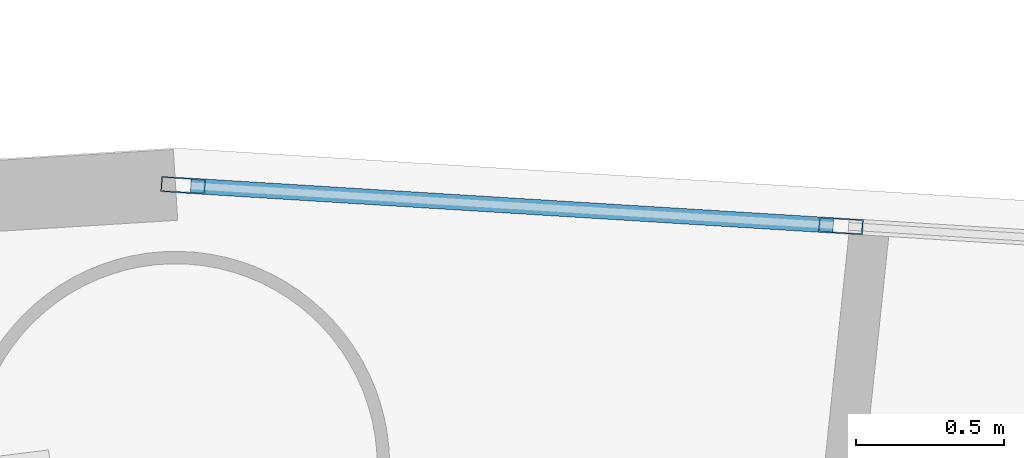
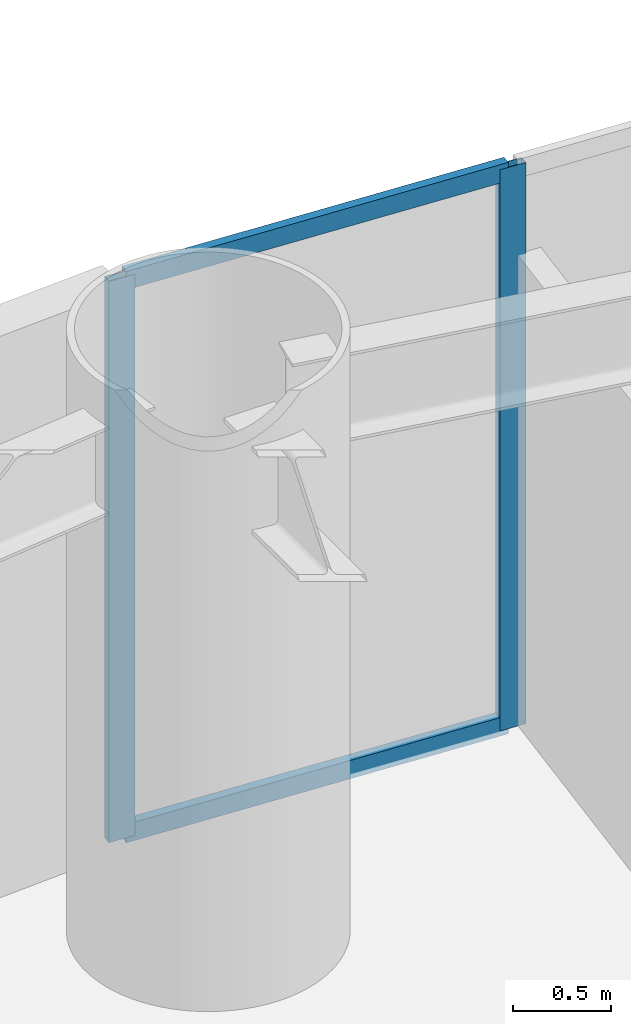
# One storey, part 4 of 19: 4 members, 1 element without a shape of its own.
"""IFC4 building model written with IfcOpenShell, lengths in metres."""

from ifc_helpers import new_model, si_unit, direction, frame, origin, origin_2d, place, context, subcontext, project, spatial, hollow_rectangle, extrude, source, transform, mapped, material, layer, layer_set, material_profile, profile_set, type_object, element, aggregate, save


model = new_model("IFC4")

# Units and contexts
model_context = context("Model", 3, precision=1e-05, world=origin(), true_north=direction((0.0, 1.0)))
body_context = subcontext(model_context, "Body", "Model", "MODEL_VIEW")
ifc_project = project(units=[si_unit("LENGTHUNIT", "METRE"), si_unit("AREAUNIT", "SQUARE_METRE"), si_unit("VOLUMEUNIT", "CUBIC_METRE"), si_unit("PLANEANGLEUNIT", "RADIAN"), si_unit("MASSUNIT", "GRAM", prefix="KILO")], contexts=[model_context])

# Site, building, storey
site_placement = place(None, origin())
site = spatial("IfcSite", under=ifc_project, at=site_placement, CompositionType="ELEMENT")
building_placement = place(site_placement, origin())
building = spatial("IfcBuilding", under=site, at=building_placement, Name="Linh Dai School and Residence Tower", CompositionType="ELEMENT")
storey_placement = place(building_placement, frame((0.0, 0.0, 119.699951171875)))
storey = spatial("IfcBuildingStorey", under=building, at=storey_placement, Name="L28", CompositionType="ELEMENT", Elevation=119.699951171875)

# Curtain wall, members
ifc_material_1 = material(Name="Aluminium Anodised Curtain Wall", Category="aluminium")
ifc_layer = layer(ifc_material_1, 0.14990234375)
ifc_layer_set = layer_set([ifc_layer], Name="Aluminium Anodised Curtain Wall")
curtain_wall_type = type_object("IfcCurtainWallType", Name="CW-SYS-4", PredefinedType="USERDEFINED", material=ifc_layer_set)
curtain_wall_placement = place(storey_placement, origin())
curtain_wall = element("IfcCurtainWall", 1, at=curtain_wall_placement, inside=storey, type_object=curtain_wall_type, Name="L28 CW4 Curtain Wall 10", ObjectType="RIBBON CURTAIN WALL", PredefinedType="USERDEFINED")
ifc_material_2 = material(Name="Aluminium Alloy 6063-T6", Category="aluminium")
ifc_material_profile_1 = material_profile(ifc_material_2, hollow_rectangle(XDim=0.052001953125, YDim=0.14990234375, WallThickness=0.00390625, at=origin_2d()), Name="RHS 150x52x4")
ifc_profile_set_1 = profile_set([ifc_material_profile_1], Name="Aluminium Alloy 6063-T6")
member_type_1 = type_object("IfcMemberType", Name="CW-SYS-4-MUL", PredefinedType="MULLION", material=ifc_profile_set_1)
shared_shape_1 = source(origin(), body_context, "Body", "SweptSolid", [
    extrude(hollow_rectangle(XDim=0.052001953125, YDim=0.14990234375, WallThickness=0.00390625, at=origin_2d()), origin(), (0.0, 0.0, 1.0), 3.5),
])
member_1_placement = place(storey_placement, frame((36.02587890625, 49.50341796875, 0.0), z_axis=(0.0, 0.0, 1.0), x_axis=(0.061509255091, 0.998106513123, 0.0)))
member_1 = element("IfcMember", 2, at=member_1_placement, type_object=member_type_1, Name="CW4 mullion 1", PredefinedType="MULLION", context=body_context, shape_type="MappedRepresentation", body=[
    mapped(shared_shape_1, transform((0.0, 0.0, 0.0), x_axis=(1.0, 0.0, 0.0), y_axis=(0.0, 1.0, 0.0), z_axis=(0.0, 0.0, 1.0), scale=1.0)),
])
member_2_placement = place(storey_placement, frame((38.252685546875, 49.3662109375, 0.0), z_axis=(0.0, 0.0, 1.0), x_axis=(0.061509255091, 0.998106513123, 0.0)))
member_2 = element("IfcMember", 3, at=member_2_placement, type_object=member_type_1, Name="CW4 mullion 2", PredefinedType="MULLION", context=body_context, shape_type="MappedRepresentation", body=[
    mapped(shared_shape_1, transform((0.0, 0.0, 0.0), x_axis=(1.0, 0.0, 0.0), y_axis=(0.0, 1.0, 0.0), z_axis=(0.0, 0.0, 1.0), scale=1.0)),
])
ifc_material_profile_2 = material_profile(ifc_material_2, hollow_rectangle(XDim=0.052001953125, YDim=0.114990234375, WallThickness=0.00390625, at=origin_2d()), Name="RHS 115x52x4")
ifc_profile_set_2 = profile_set([ifc_material_profile_2], Name="Aluminium Alloy 6063-T6")
member_type_2 = type_object("IfcMemberType", Name="CW-SYS-4-TRN", PredefinedType="USERDEFINED", material=ifc_profile_set_2)
shared_shape_2 = source(origin(), body_context, "Body", "SweptSolid", [
    extrude(hollow_rectangle(XDim=0.052001953125, YDim=0.114990234375, WallThickness=0.00390625, at=origin_2d()), origin(), (0.0, 0.0, 1.0), 2.178955078125),
])
member_3_placement = place(storey_placement, frame((36.052001953125, 49.501708984375, 0.026123046875), z_axis=(0.998106264791, -0.061513284617, 0.0), x_axis=(0.061513284617, 0.998106264791, 0.0)))
member_3 = element("IfcMember", 4, at=member_3_placement, type_object=member_type_2, Name="CW4 transom 1.1", ObjectType="TRANSOM", PredefinedType="USERDEFINED", context=body_context, shape_type="MappedRepresentation", body=[
    mapped(shared_shape_2, transform((0.0, 0.0, 0.0), x_axis=(1.0, 0.0, 0.0), y_axis=(0.0, 1.0, 0.0), z_axis=(0.0, 0.0, 1.0), scale=1.0)),
])
member_4_placement = place(storey_placement, frame((36.052001953125, 49.501708984375, 3.47412109375), z_axis=(0.998106264791, -0.061513284617, 0.0), x_axis=(0.061513284617, 0.998106264791, 0.0)))
member_4 = element("IfcMember", 5, at=member_4_placement, type_object=member_type_2, Name="CW4 transom 1.2", ObjectType="TRANSOM", PredefinedType="USERDEFINED", context=body_context, shape_type="MappedRepresentation", body=[
    mapped(shared_shape_2, transform((0.0, 0.0, 0.0), x_axis=(1.0, 0.0, 0.0), y_axis=(0.0, 1.0, 0.0), z_axis=(0.0, 0.0, 1.0), scale=1.0)),
])
aggregate(curtain_wall, [member_1, member_2, member_3, member_4])

save(model, "model.ifc")
